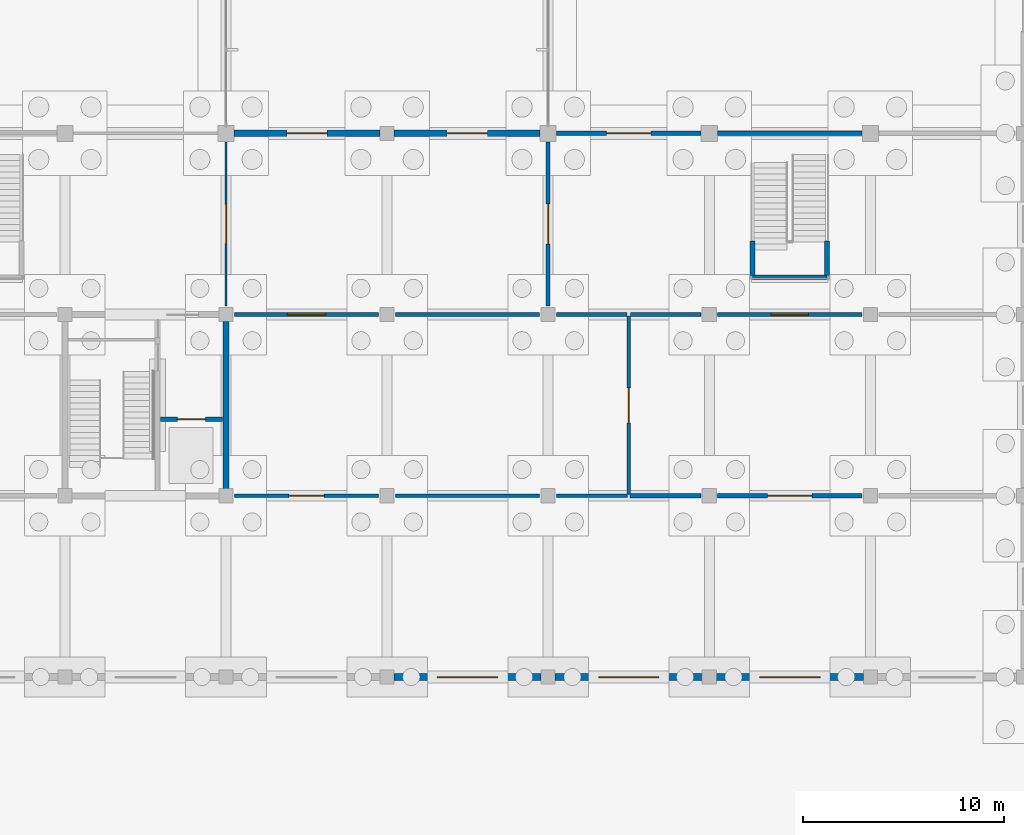
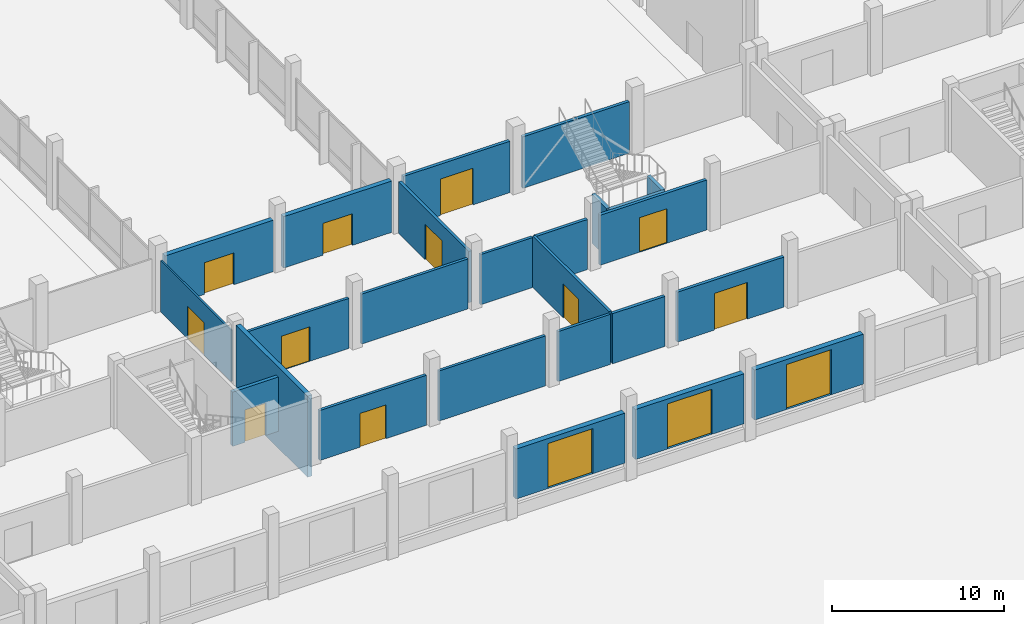
# One storey, part 45 of 72: 25 walls, 14 doors, 14 openings.
"""IFC4 building model written with IfcOpenShell, lengths in metres."""

from ifc_helpers import new_model, si_unit, direction, frame, frame_2d, origin, place, context, subcontext, project, spatial, rectangle, extrude, material, layer, layer_set, type_object, element, fill, save


model = new_model("IFC4")

# Units and contexts
model_context = context("Model", 3, precision=1e-05, world=origin(), true_north=direction((0.0, 1.0)))
body_context = subcontext(model_context, "Body", "Model", "MODEL_VIEW")
ifc_project = project(units=[si_unit("LENGTHUNIT", "METRE"), si_unit("AREAUNIT", "SQUARE_METRE"), si_unit("VOLUMEUNIT", "CUBIC_METRE"), si_unit("PLANEANGLEUNIT", "RADIAN"), si_unit("MASSUNIT", "GRAM", prefix="KILO"), si_unit("THERMODYNAMICTEMPERATUREUNIT", "KELVIN"), si_unit("POWERUNIT", "WATT")], contexts=[model_context])

# Site, building, storey
site_placement = place(None, origin())
site = spatial("IfcSite", under=ifc_project, at=site_placement, CompositionType="ELEMENT")
building_placement = place(site_placement, origin())
building = spatial("IfcBuilding", under=site, at=building_placement, Name="Kronsvod Quay Wholesale Market", CompositionType="ELEMENT")
storey_placement = place(building_placement, origin())
storey = spatial("IfcBuildingStorey", under=building, at=storey_placement, Name="L00", CompositionType="ELEMENT", Elevation=0.0)

# Wall, opening, door
ifc_material_1 = material(Name="Polyisocyanurate insulated cold-room panel")
ifc_layer_1 = layer(ifc_material_1, 0.195068359375)
ifc_layer_set_1 = layer_set([ifc_layer_1], Name="Polyisocyanurate insulated cold-room panel")
wall_type_1 = type_object("IfcWallType", Name="Wall_ColdInsul195", PredefinedType="PARTITIONING", material=ifc_layer_set_1)
wall_1_placement = place(storey_placement, frame((104.0, 45.419921875, 0.0), z_axis=(0.0, 0.0, 1.0), x_axis=(0.0, 1.0, 0.0)))
wall_1 = element("IfcWall", 1, at=wall_1_placement, inside=storey, type_object=wall_type_1, Name="PW-L00-0095", PredefinedType="PARTITIONING", context=body_context, shape_type="SweptSolid", body=[
    extrude(rectangle(XDim=8.16015625, YDim=0.195068359375, at=frame_2d((4.080078125, 0.0))), origin(), (0.0, 0.0, 1.0), 3.64990234375),
])
opening_1_placement = place(wall_1_placement, frame((3.080078125, 0.0, 0.0)))
opening_1 = element("IfcOpeningElement", 2, at=opening_1_placement, cuts=wall_1, Name="Opening D-0178", PredefinedType="OPENING", context=body_context, shape_type="SweptSolid", body=[
    extrude(rectangle(XDim=2.0, YDim=2.52001953125, at=frame_2d((1.0, 1.260009765625))), frame((0.0, 0.107421875, 0.0), z_axis=(0.0, -1.0, 0.0), x_axis=(1.0, 0.0, 0.0)), (0.0, 0.0, 1.0), 0.215087890625),
])
ifc_material_2 = material(Name="Insulated stainless cold-store door", Category="steel")
door_type_1 = type_object("IfcDoorType", Name="Door_ColdSlide200x252", OperationType="SLIDING_TO_RIGHT", PredefinedType="DOOR", material=ifc_material_2)
door_1_placement = place(opening_1_placement, origin())
door_1 = element("IfcDoor", 3, at=door_1_placement, inside=storey, type_object=door_type_1, Name="Interior Door D-0178", OperationType="SLIDING_TO_LEFT", OverallHeight=2.52001953125, OverallWidth=2.0, PredefinedType="DOOR", context=body_context, shape_type="SweptSolid", body=[
    extrude(rectangle(XDim=2.0, YDim=2.52001953125, at=frame_2d((1.0, 1.260009765625))), frame((0.0, 0.02490234375, 0.0), z_axis=(0.0, -1.0, 0.0), x_axis=(1.0, 0.0, 0.0)), (0.0, 0.0, 1.0), 0.050048828125),
])
fill(opening_1, door_1)

# Wall
ifc_material_3 = material(Name="Polyisocyanurate insulated cold-room panel")
ifc_layer_2 = layer(ifc_material_3, 0.2099609375)
ifc_layer_set_2 = layer_set([ifc_layer_2], Name="Polyisocyanurate insulated cold-room panel")
wall_type_2 = type_object("IfcWallType", Name="Wall_ColdInsul210", PredefinedType="PARTITIONING", material=ifc_layer_set_2)
wall_2_placement = place(storey_placement, frame((108.06005859375, 36.0, 0.0), z_axis=(0.0, 0.0, 1.0), x_axis=(1.0, 0.0, 0.0)))
element("IfcWall", 4, at=wall_2_placement, inside=storey, type_object=wall_type_2, Name="PW-L00-0043", PredefinedType="PARTITIONING", context=body_context, shape_type="SweptSolid", body=[
    extrude(rectangle(XDim=3.52001953125, YDim=0.2099609375, at=frame_2d((1.760009765625, 0.0))), origin(), (0.0, 0.0, 1.0), 3.550048828125),
])

# Wall, opening, door
wall_3_placement = place(storey_placement, frame((112.419921875, 36.0, 0.0), z_axis=(0.0, 0.0, 1.0), x_axis=(1.0, 0.0, 0.0)))
wall_3 = element("IfcWall", 5, at=wall_3_placement, inside=storey, type_object=wall_type_2, Name="PW-L00-0044", PredefinedType="PARTITIONING", context=body_context, shape_type="SweptSolid", body=[
    extrude(rectangle(XDim=7.16015625, YDim=0.2099609375, at=frame_2d((3.580078125, 0.0))), origin(), (0.0, 0.0, 1.0), 3.550048828125),
])
opening_2_placement = place(wall_3_placement, frame((2.47998046875, 0.0, 0.0)))
opening_2 = element("IfcOpeningElement", 6, at=opening_2_placement, cuts=wall_3, Name="Opening D-0152", PredefinedType="OPENING", context=body_context, shape_type="SweptSolid", body=[
    extrude(rectangle(XDim=2.199951171875, YDim=2.60009765625, at=frame_2d((1.10009765625, 1.300048828125))), frame((0.0, 0.114990234375, 0.0), z_axis=(0.0, -1.0, 0.0), x_axis=(1.0, 0.0, 0.0)), (0.0, 0.0, 1.0), 0.22998046875),
])
ifc_material_4 = material(Name="Insulated stainless cold-store door", Category="steel")
door_type_2 = type_object("IfcDoorType", Name="Door_ColdSlide220x260", OperationType="SLIDING_TO_LEFT", PredefinedType="DOOR", material=ifc_material_4)
door_2_placement = place(opening_2_placement, origin())
door_2 = element("IfcDoor", 7, at=door_2_placement, inside=storey, type_object=door_type_2, Name="Interior Door D-0152", OperationType="SLIDING_TO_LEFT", OverallHeight=2.60009765625, OverallWidth=2.199951171875, PredefinedType="DOOR", context=body_context, shape_type="SweptSolid", body=[
    extrude(rectangle(XDim=2.199951171875, YDim=2.60009765625, at=frame_2d((1.10009765625, 1.300048828125))), frame((0.0, 0.02490234375, 0.0), z_axis=(0.0, -1.0, 0.0), x_axis=(1.0, 0.0, 0.0)), (0.0, 0.0, 1.0), 0.050048828125),
])
fill(opening_2, door_2)

# Wall
wall_4_placement = place(storey_placement, frame((108.080078125, 45.0, 0.0), z_axis=(0.0, 0.0, 1.0), x_axis=(1.0, 0.0, 0.0)))
element("IfcWall", 8, at=wall_4_placement, inside=storey, type_object=wall_type_2, Name="PW-L00-0066", PredefinedType="PARTITIONING", context=body_context, shape_type="SweptSolid", body=[
    extrude(rectangle(XDim=3.5, YDim=0.2099609375, at=frame_2d((1.75, 0.0))), origin(), (0.0, 0.0, 1.0), 3.550048828125),
])

# Wall, opening, door
wall_5_placement = place(storey_placement, frame((112.419921875, 45.0, 0.0), z_axis=(0.0, 0.0, 1.0), x_axis=(1.0, 0.0, 0.0)))
wall_5 = element("IfcWall", 9, at=wall_5_placement, inside=storey, type_object=wall_type_2, Name="PW-L00-0067", PredefinedType="PARTITIONING", context=body_context, shape_type="SweptSolid", body=[
    extrude(rectangle(XDim=7.16015625, YDim=0.2099609375, at=frame_2d((3.580078125, 0.0))), origin(), (0.0, 0.0, 1.0), 3.550048828125),
])
opening_3_placement = place(wall_5_placement, frame((2.655029296875, 0.0, 0.0)))
opening_3 = element("IfcOpeningElement", 10, at=opening_3_placement, cuts=wall_5, Name="Opening D-0165", PredefinedType="OPENING", context=body_context, shape_type="SweptSolid", body=[
    extrude(rectangle(XDim=1.85009765625, YDim=2.449951171875, at=frame_2d((0.925048828125, 1.22509765625))), frame((0.0, 0.114990234375, 0.0), z_axis=(0.0, -1.0, 0.0), x_axis=(1.0, 0.0, 0.0)), (0.0, 0.0, 1.0), 0.22998046875),
])
ifc_material_5 = material(Name="Insulated stainless cold-store door", Category="steel")
door_type_3 = type_object("IfcDoorType", Name="Door_ColdSlide185x245", OperationType="SLIDING_TO_LEFT", PredefinedType="DOOR", material=ifc_material_5)
door_3_placement = place(opening_3_placement, origin())
door_3 = element("IfcDoor", 11, at=door_3_placement, inside=storey, type_object=door_type_3, Name="Interior Door D-0165", OperationType="SLIDING_TO_LEFT", OverallHeight=2.449951171875, OverallWidth=1.85009765625, PredefinedType="DOOR", context=body_context, shape_type="SweptSolid", body=[
    extrude(rectangle(XDim=1.85009765625, YDim=2.449951171875, at=frame_2d((0.925048828125, 1.22509765625))), frame((0.0, 0.02490234375, 0.0), z_axis=(0.0, -1.0, 0.0), x_axis=(1.0, 0.0, 0.0)), (0.0, 0.0, 1.0), 0.050048828125),
])
fill(opening_3, door_3)

wall_6_placement = place(storey_placement, frame((104.419921875, 54.0, 0.0), z_axis=(0.0, 0.0, 1.0), x_axis=(1.0, 0.0, 0.0)))
wall_6 = element("IfcWall", 12, at=wall_6_placement, inside=storey, type_object=wall_type_2, Name="PW-L00-0096", PredefinedType="PARTITIONING", context=body_context, shape_type="SweptSolid", body=[
    extrude(rectangle(XDim=7.16015625, YDim=0.2099609375, at=frame_2d((3.580078125, 0.0))), origin(), (0.0, 0.0, 1.0), 3.64990234375),
])
opening_4_placement = place(wall_6_placement, frame((2.47998046875, 0.0, 0.0)))
opening_4 = element("IfcOpeningElement", 13, at=opening_4_placement, cuts=wall_6, Name="Opening D-0179", PredefinedType="OPENING", context=body_context, shape_type="SweptSolid", body=[
    extrude(rectangle(XDim=2.199951171875, YDim=2.60009765625, at=frame_2d((1.10009765625, 1.300048828125))), frame((0.0, 0.114990234375, 0.0), z_axis=(0.0, -1.0, 0.0), x_axis=(1.0, 0.0, 0.0)), (0.0, 0.0, 1.0), 0.22998046875),
])
door_4_placement = place(opening_4_placement, origin())
door_4 = element("IfcDoor", 14, at=door_4_placement, inside=storey, type_object=door_type_2, Name="Interior Door D-0179", OperationType="SLIDING_TO_LEFT", OverallHeight=2.60009765625, OverallWidth=2.199951171875, PredefinedType="DOOR", context=body_context, shape_type="SweptSolid", body=[
    extrude(rectangle(XDim=2.199951171875, YDim=2.60009765625, at=frame_2d((1.10009765625, 1.300048828125))), frame((0.0, 0.02490234375, 0.0), z_axis=(0.0, -1.0, 0.0), x_axis=(1.0, 0.0, 0.0)), (0.0, 0.0, 1.0), 0.050048828125),
])
fill(opening_4, door_4)

# Walls
wall_7_placement = place(storey_placement, frame((112.419921875, 54.0, 0.0), z_axis=(0.0, 0.0, 1.0), x_axis=(1.0, 0.0, 0.0)))
element("IfcWall", 15, at=wall_7_placement, inside=storey, type_object=wall_type_2, Name="PW-L00-0097", PredefinedType="PARTITIONING", context=body_context, shape_type="SweptSolid", body=[
    extrude(rectangle(XDim=7.16015625, YDim=0.2099609375, at=frame_2d((3.580078125, 0.0))), origin(), (0.0, 0.0, 1.0), 3.64990234375),
])
ifc_material_6 = material(Name="Concrete C35/45", Category="concrete")
ifc_layer_3 = layer(ifc_material_6, 0.300048828125)
ifc_layer_set_3 = layer_set([ifc_layer_3], Name="Concrete C35/45")
wall_type_3 = type_object("IfcWallType", Name="Wall_CoreShear300", PredefinedType="SHEAR", material=ifc_layer_set_3)
wall_8_placement = place(storey_placement, frame((88.0, 36.344970703125, -1.25), z_axis=(0.0, 0.0, 1.0), x_axis=(0.0, 1.0, 0.0)))
element("IfcWall", 16, at=wall_8_placement, inside=storey, type_object=wall_type_3, Name="CW-C04-L00-E", PredefinedType="SHEAR", context=body_context, shape_type="SweptSolid", body=[
    extrude(rectangle(XDim=8.31005859375, YDim=0.300048828125, at=frame_2d((4.155029296875, 0.0))), origin(), (0.0, 0.0, 1.0), 5.7548828125),
])

# Wall, opening, door
ifc_material_7 = material(Name="Precast concrete C40/50", Category="concrete")
ifc_layer_4 = layer(ifc_material_7, 0.360107421875)
ifc_layer_set_4 = layer_set([ifc_layer_4], Name="Precast concrete C40/50")
wall_type_4 = type_object("IfcWallType", Name="Wall_ExtColdSandwich360", PredefinedType="SOLIDWALL", material=ifc_layer_set_4)
wall_9_placement = place(storey_placement, frame((96.344970703125, 27.0, 0.0), z_axis=(0.0, 0.0, 1.0), x_axis=(1.0, 0.0, 0.0)))
wall_9 = element("IfcWall", 17, at=wall_9_placement, inside=storey, type_object=wall_type_4, Name="EW-X-L00-0037", PredefinedType="SOLIDWALL", context=body_context, shape_type="SweptSolid", body=[
    extrude(rectangle(XDim=7.31005859375, YDim=0.360107421875, at=frame_2d((3.655029296875, 0.0))), origin(), (0.0, 0.0, 1.0), 3.550048828125),
])
opening_5_placement = place(wall_9_placement, frame((2.155029296875, 0.0, 0.0)))
opening_5 = element("IfcOpeningElement", 18, at=opening_5_placement, cuts=wall_9, Name="Opening ED-022", PredefinedType="OPENING", context=body_context, shape_type="SweptSolid", body=[
    extrude(rectangle(XDim=3.0, YDim=3.199951171875, at=frame_2d((1.5, 1.60009765625))), frame((0.0, 0.18994140625, 0.0), z_axis=(0.0, -1.0, 0.0), x_axis=(1.0, 0.0, 0.0)), (0.0, 0.0, 1.0), 0.380126953125),
])
ifc_material_8 = material(Name="Insulated galvanized steel sectional shutter", Category="steel")
door_type_4 = type_object("IfcDoorType", Name="Door_DockShutter300x320", OperationType="ROLLINGUP", PredefinedType="GATE", material=ifc_material_8)
door_5_placement = place(opening_5_placement, origin())
door_5 = element("IfcDoor", 19, at=door_5_placement, inside=storey, type_object=door_type_4, Name="Loading Dock Door ED-022", OperationType="ROLLINGUP", OverallHeight=3.199951171875, OverallWidth=3.0, PredefinedType="GATE", context=body_context, shape_type="SweptSolid", body=[
    extrude(rectangle(XDim=3.0, YDim=3.199951171875, at=frame_2d((1.5, 1.60009765625))), frame((0.0, 0.02490234375, 0.0), z_axis=(0.0, -1.0, 0.0), x_axis=(1.0, 0.0, 0.0)), (0.0, 0.0, 1.0), 0.050048828125),
])
fill(opening_5, door_5)

wall_10_placement = place(storey_placement, frame((104.344970703125, 27.0, 0.0), z_axis=(0.0, 0.0, 1.0), x_axis=(1.0, 0.0, 0.0)))
wall_10 = element("IfcWall", 20, at=wall_10_placement, inside=storey, type_object=wall_type_4, Name="EW-X-L00-0038", PredefinedType="SOLIDWALL", context=body_context, shape_type="SweptSolid", body=[
    extrude(rectangle(XDim=7.31005859375, YDim=0.360107421875, at=frame_2d((3.655029296875, 0.0))), origin(), (0.0, 0.0, 1.0), 3.550048828125),
])
opening_6_placement = place(wall_10_placement, frame((2.155029296875, 0.0, 0.0)))
opening_6 = element("IfcOpeningElement", 21, at=opening_6_placement, cuts=wall_10, Name="Opening ED-023", PredefinedType="OPENING", context=body_context, shape_type="SweptSolid", body=[
    extrude(rectangle(XDim=3.0, YDim=3.199951171875, at=frame_2d((1.5, 1.60009765625))), frame((0.0, 0.18994140625, 0.0), z_axis=(0.0, -1.0, 0.0), x_axis=(1.0, 0.0, 0.0)), (0.0, 0.0, 1.0), 0.380126953125),
])
door_6_placement = place(opening_6_placement, origin())
door_6 = element("IfcDoor", 22, at=door_6_placement, inside=storey, type_object=door_type_4, Name="Loading Dock Door ED-023", OperationType="ROLLINGUP", OverallHeight=3.199951171875, OverallWidth=3.0, PredefinedType="GATE", context=body_context, shape_type="SweptSolid", body=[
    extrude(rectangle(XDim=3.0, YDim=3.199951171875, at=frame_2d((1.5, 1.60009765625))), frame((0.0, 0.02490234375, 0.0), z_axis=(0.0, -1.0, 0.0), x_axis=(1.0, 0.0, 0.0)), (0.0, 0.0, 1.0), 0.050048828125),
])
fill(opening_6, door_6)

wall_11_placement = place(storey_placement, frame((112.344970703125, 27.0, 0.0), z_axis=(0.0, 0.0, 1.0), x_axis=(1.0, 0.0, 0.0)))
wall_11 = element("IfcWall", 23, at=wall_11_placement, inside=storey, type_object=wall_type_4, Name="EW-X-L00-0039", PredefinedType="SOLIDWALL", context=body_context, shape_type="SweptSolid", body=[
    extrude(rectangle(XDim=7.31005859375, YDim=0.360107421875, at=frame_2d((3.655029296875, 0.0))), origin(), (0.0, 0.0, 1.0), 3.550048828125),
])
opening_7_placement = place(wall_11_placement, frame((2.155029296875, 0.0, 0.0)))
opening_7 = element("IfcOpeningElement", 24, at=opening_7_placement, cuts=wall_11, Name="Opening ED-024", PredefinedType="OPENING", context=body_context, shape_type="SweptSolid", body=[
    extrude(rectangle(XDim=3.0, YDim=3.199951171875, at=frame_2d((1.5, 1.60009765625))), frame((0.0, 0.18994140625, 0.0), z_axis=(0.0, -1.0, 0.0), x_axis=(1.0, 0.0, 0.0)), (0.0, 0.0, 1.0), 0.380126953125),
])
door_7_placement = place(opening_7_placement, origin())
door_7 = element("IfcDoor", 25, at=door_7_placement, inside=storey, type_object=door_type_4, Name="Loading Dock Door ED-024", OperationType="ROLLINGUP", OverallHeight=3.199951171875, OverallWidth=3.0, PredefinedType="GATE", context=body_context, shape_type="SweptSolid", body=[
    extrude(rectangle(XDim=3.0, YDim=3.199951171875, at=frame_2d((1.5, 1.60009765625))), frame((0.0, 0.02490234375, 0.0), z_axis=(0.0, -1.0, 0.0), x_axis=(1.0, 0.0, 0.0)), (0.0, 0.0, 1.0), 0.050048828125),
])
fill(opening_7, door_7)

ifc_material_9 = material(Name="Precast concrete C40/50", Category="concrete")
ifc_layer_5 = layer(ifc_material_9, 0.320068359375)
ifc_layer_set_5 = layer_set([ifc_layer_5], Name="Precast concrete C40/50")
wall_type_5 = type_object("IfcWallType", Name="Wall_ExtPrecast320", PredefinedType="SOLIDWALL", material=ifc_layer_set_5)
wall_12_placement = place(storey_placement, frame((95.655029296875, 54.0, 0.0), z_axis=(0.0, 0.0, 1.0), x_axis=(-1.0, 0.0, 0.0)))
wall_12 = element("IfcWall", 26, at=wall_12_placement, inside=storey, type_object=wall_type_5, Name="EW-X-L00-0041", PredefinedType="SOLIDWALL", context=body_context, shape_type="SweptSolid", body=[
    extrude(rectangle(XDim=7.260009765625, YDim=0.320068359375, at=frame_2d((3.6298828125, 0.0))), origin(), (0.0, 0.0, 1.0), 3.64990234375),
])
opening_8_placement = place(wall_12_placement, frame((2.6298828125, 0.0, 0.0)))
opening_8 = element("IfcOpeningElement", 27, at=opening_8_placement, cuts=wall_12, Name="Opening ED-026", PredefinedType="OPENING", context=body_context, shape_type="SweptSolid", body=[
    extrude(rectangle(XDim=2.0, YDim=2.25, at=frame_2d((1.0, 1.125))), frame((0.0, 0.169921875, 0.0), z_axis=(0.0, -1.0, 0.0), x_axis=(1.0, 0.0, 0.0)), (0.0, 0.0, 1.0), 0.340087890625),
])
ifc_material_10 = material(Name="Aluminium and safety glass", Category="aluminium")
door_type_5 = type_object("IfcDoorType", Name="Door_ExitDouble200x225", OperationType="DOUBLE_DOOR_SINGLE_SWING", PredefinedType="DOOR", material=ifc_material_10)
door_8_placement = place(opening_8_placement, frame((2.0, 0.0, 0.0), z_axis=(0.0, 0.0, 1.0), x_axis=(-1.0, 0.0, 0.0)))
door_8 = element("IfcDoor", 28, at=door_8_placement, inside=storey, type_object=door_type_5, Name="Court Exit Door ED-026", OperationType="DOUBLE_DOOR_SINGLE_SWING", OverallHeight=2.25, OverallWidth=2.0, PredefinedType="DOOR", context=body_context, shape_type="SweptSolid", body=[
    extrude(rectangle(XDim=2.0, YDim=2.25, at=frame_2d((1.0, 1.125))), frame((0.0, 0.02490234375, 0.0), z_axis=(0.0, -1.0, 0.0), x_axis=(1.0, 0.0, 0.0)), (0.0, 0.0, 1.0), 0.050048828125),
])
fill(opening_8, door_8)

wall_13_placement = place(storey_placement, frame((103.60498046875, 54.0, 0.0), z_axis=(0.0, 0.0, 1.0), x_axis=(-1.0, 0.0, 0.0)))
wall_13 = element("IfcWall", 29, at=wall_13_placement, inside=storey, type_object=wall_type_5, Name="EW-X-L00-0042", PredefinedType="SOLIDWALL", context=body_context, shape_type="SweptSolid", body=[
    extrude(rectangle(XDim=7.260009765625, YDim=0.320068359375, at=frame_2d((3.6298828125, 0.0))), origin(), (0.0, 0.0, 1.0), 3.64990234375),
])
opening_9_placement = place(wall_13_placement, frame((2.6298828125, 0.0, 0.0)))
opening_9 = element("IfcOpeningElement", 30, at=opening_9_placement, cuts=wall_13, Name="Opening ED-027", PredefinedType="OPENING", context=body_context, shape_type="SweptSolid", body=[
    extrude(rectangle(XDim=2.0, YDim=2.25, at=frame_2d((1.0, 1.125))), frame((0.0, 0.169921875, 0.0), z_axis=(0.0, -1.0, 0.0), x_axis=(1.0, 0.0, 0.0)), (0.0, 0.0, 1.0), 0.340087890625),
])
door_9_placement = place(opening_9_placement, frame((2.0, 0.0, 0.0), z_axis=(0.0, 0.0, 1.0), x_axis=(-1.0, 0.0, 0.0)))
door_9 = element("IfcDoor", 31, at=door_9_placement, inside=storey, type_object=door_type_5, Name="Court Exit Door ED-027", OperationType="DOUBLE_DOOR_SINGLE_SWING", OverallHeight=2.25, OverallWidth=2.0, PredefinedType="DOOR", context=body_context, shape_type="SweptSolid", body=[
    extrude(rectangle(XDim=2.0, YDim=2.25, at=frame_2d((1.0, 1.125))), frame((0.0, 0.02490234375, 0.0), z_axis=(0.0, -1.0, 0.0), x_axis=(1.0, 0.0, 0.0)), (0.0, 0.0, 1.0), 0.050048828125),
])
fill(opening_9, door_9)

ifc_material_11 = material(Name="Framed acoustic glass hall partition", Category="glass")
ifc_layer_6 = layer(ifc_material_11, 0.114990234375)
ifc_layer_set_6 = layer_set([ifc_layer_6], Name="Framed acoustic glass hall partition")
wall_type_6 = type_object("IfcWallType", Name="Wall_PartGlazed115", PredefinedType="PARTITIONING", material=ifc_layer_set_6)
wall_14_placement = place(storey_placement, frame((88.0, 45.419921875, 0.0), z_axis=(0.0, 0.0, 1.0), x_axis=(0.0, 1.0, 0.0)))
wall_14 = element("IfcWall", 32, at=wall_14_placement, inside=storey, type_object=wall_type_6, Name="PW-L00-0084", PredefinedType="PARTITIONING", context=body_context, shape_type="SweptSolid", body=[
    extrude(rectangle(XDim=8.16015625, YDim=0.114990234375, at=frame_2d((4.080078125, 0.0))), origin(), (0.0, 0.0, 1.0), 3.64990234375),
])
opening_10_placement = place(wall_14_placement, frame((3.10498046875, 0.0, 0.0)))
opening_10 = element("IfcOpeningElement", 33, at=opening_10_placement, cuts=wall_14, Name="Opening D-0173", PredefinedType="OPENING", context=body_context, shape_type="SweptSolid", body=[
    extrude(rectangle(XDim=1.949951171875, YDim=2.300048828125, at=frame_2d((0.97509765625, 1.14990234375))), frame((0.0, 0.0673828125, 0.0), z_axis=(0.0, -1.0, 0.0), x_axis=(1.0, 0.0, 0.0)), (0.0, 0.0, 1.0), 0.135009765625),
])
ifc_material_12 = material(Name="Glazed aluminium hall portal", Category="aluminium")
door_type_6 = type_object("IfcDoorType", Name="Door_HallPortal195x230", OperationType="DOUBLE_DOOR_SINGLE_SWING", PredefinedType="DOOR", material=ifc_material_12)
door_10_placement = place(opening_10_placement, origin())
door_10 = element("IfcDoor", 34, at=door_10_placement, inside=storey, type_object=door_type_6, Name="Interior Door D-0173", OperationType="DOUBLE_DOOR_SINGLE_SWING", OverallHeight=2.300048828125, OverallWidth=1.949951171875, PredefinedType="DOOR", context=body_context, shape_type="SweptSolid", body=[
    extrude(rectangle(XDim=1.949951171875, YDim=2.300048828125, at=frame_2d((0.97509765625, 1.14990234375))), frame((0.0, 0.02490234375, 0.0), z_axis=(0.0, -1.0, 0.0), x_axis=(1.0, 0.0, 0.0)), (0.0, 0.0, 1.0), 0.050048828125),
])
fill(opening_10, door_10)

# Walls
ifc_material_13 = material(Name="Fire-rated shaft riser block wall", Category="masonry")
ifc_layer_7 = layer(ifc_material_13, 0.1298828125)
ifc_layer_set_7 = layer_set([ifc_layer_7], Name="Fire-rated shaft riser block wall")
wall_type_7 = type_object("IfcWallType", Name="Wall_PartRiser130", PredefinedType="PARTITIONING", material=ifc_layer_set_7)
wall_15_placement = place(storey_placement, frame((114.14990234375, 46.85009765625, -1.25), z_axis=(0.0, 0.0, 1.0), x_axis=(1.0, 0.0, 0.0)))
element("IfcWall", 35, at=wall_15_placement, inside=storey, type_object=wall_type_7, Name="ST-GAL-E1-SWS", PredefinedType="PARTITIONING", context=body_context, shape_type="SweptSolid", body=[
    extrude(rectangle(XDim=3.7001953125, YDim=0.239990234375, at=frame_2d((1.85009765625, 0.0))), origin(), (0.0, 0.0, 1.0), 3.469970703125),
])
for number, where, z_axis, x_axis, name in (
    (36, (114.14990234375, 46.949951171875, -1.25), (0.0, 0.0, 1.0), (0.0, 1.0, 0.0), "ST-GAL-E1-SWW"),
    (37, (117.85009765625, 46.949951171875, -1.25), (0.0, 0.0, 1.0), (0.0, 1.0, 0.0), "ST-GAL-E1-SWE"),
):
    element("IfcWall", number, at=place(storey_placement, frame(where, z_axis=z_axis, x_axis=x_axis)), inside=storey, type_object=wall_type_7, Name=name, PredefinedType="PARTITIONING", context=body_context, shape_type="SweptSolid", body=[
        extrude(rectangle(XDim=1.699951171875, YDim=0.239990234375, at=frame_2d((0.85009765625, 0.0))), origin(), (0.0, 0.0, 1.0), 3.469970703125),
    ])

# Wall, opening, door
ifc_material_14 = material(Name="Gas-tight ethylene ripening panel")
ifc_layer_8 = layer(ifc_material_14, 0.18505859375)
ifc_layer_set_8 = layer_set([ifc_layer_8], Name="Gas-tight ethylene ripening panel")
wall_type_8 = type_object("IfcWallType", Name="Wall_RipeningGas185", PredefinedType="PARTITIONING", material=ifc_layer_set_8)
wall_16_placement = place(storey_placement, frame((88.419921875, 36.0, 0.0), z_axis=(0.0, 0.0, 1.0), x_axis=(1.0, 0.0, 0.0)))
wall_16 = element("IfcWall", 38, at=wall_16_placement, inside=storey, type_object=wall_type_8, Name="PW-L00-0040", PredefinedType="PARTITIONING", context=body_context, shape_type="SweptSolid", body=[
    extrude(rectangle(XDim=7.16015625, YDim=0.18505859375, at=frame_2d((3.580078125, 0.0))), origin(), (0.0, 0.0, 1.0), 3.550048828125),
])
opening_11_placement = place(wall_16_placement, frame((2.705078125, 0.0, 0.0)))
opening_11 = element("IfcOpeningElement", 39, at=opening_11_placement, cuts=wall_16, Name="Opening D-0151", PredefinedType="OPENING", context=body_context, shape_type="SweptSolid", body=[
    extrude(rectangle(XDim=1.75, YDim=2.39990234375, at=frame_2d((0.875, 1.199951171875))), frame((0.0, 0.1025390625, 0.0), z_axis=(0.0, -1.0, 0.0), x_axis=(1.0, 0.0, 0.0)), (0.0, 0.0, 1.0), 0.205078125),
])
ifc_material_15 = material(Name="Gas-tight aluminium ripening door", Category="aluminium")
door_type_7 = type_object("IfcDoorType", Name="Door_Ripening175x240", OperationType="DOUBLE_DOOR_SINGLE_SWING", PredefinedType="DOOR", material=ifc_material_15)
door_11_placement = place(opening_11_placement, origin())
door_11 = element("IfcDoor", 40, at=door_11_placement, inside=storey, type_object=door_type_7, Name="Interior Door D-0151", OperationType="DOUBLE_DOOR_SINGLE_SWING", OverallHeight=2.39990234375, OverallWidth=1.75, PredefinedType="DOOR", context=body_context, shape_type="SweptSolid", body=[
    extrude(rectangle(XDim=1.75, YDim=2.39990234375, at=frame_2d((0.875, 1.199951171875))), frame((0.0, 0.02490234375, 0.0), z_axis=(0.0, -1.0, 0.0), x_axis=(1.0, 0.0, 0.0)), (0.0, 0.0, 1.0), 0.050048828125),
])
fill(opening_11, door_11)

# Walls
wall_17_placement = place(storey_placement, frame((96.419921875, 36.0, 0.0), z_axis=(0.0, 0.0, 1.0), x_axis=(1.0, 0.0, 0.0)))
element("IfcWall", 41, at=wall_17_placement, inside=storey, type_object=wall_type_8, Name="PW-L00-0041", PredefinedType="PARTITIONING", context=body_context, shape_type="SweptSolid", body=[
    extrude(rectangle(XDim=7.16015625, YDim=0.18505859375, at=frame_2d((3.580078125, 0.0))), origin(), (0.0, 0.0, 1.0), 3.550048828125),
])
wall_18_placement = place(storey_placement, frame((104.419921875, 36.0, 0.0), z_axis=(0.0, 0.0, 1.0), x_axis=(1.0, 0.0, 0.0)))
element("IfcWall", 42, at=wall_18_placement, inside=storey, type_object=wall_type_8, Name="PW-L00-0042", PredefinedType="PARTITIONING", context=body_context, shape_type="SweptSolid", body=[
    extrude(rectangle(XDim=3.52001953125, YDim=0.18505859375, at=frame_2d((1.760009765625, 0.0))), origin(), (0.0, 0.0, 1.0), 3.550048828125),
])

# Wall, opening, door
wall_19_placement = place(storey_placement, frame((108.0, 36.06005859375, 0.0), z_axis=(0.0, 0.0, 1.0), x_axis=(0.0, 1.0, 0.0)))
wall_19 = element("IfcWall", 43, at=wall_19_placement, inside=storey, type_object=wall_type_8, Name="PW-L00-0062", PredefinedType="PARTITIONING", context=body_context, shape_type="SweptSolid", body=[
    extrude(rectangle(XDim=8.85986328125, YDim=0.18505859375, at=frame_2d((4.429931640625, 0.0))), origin(), (0.0, 0.0, 1.0), 3.64990234375),
])
opening_12_placement = place(wall_19_placement, frame((3.554931640625, 0.0, 0.0)))
opening_12 = element("IfcOpeningElement", 44, at=opening_12_placement, cuts=wall_19, Name="Opening D-0163", PredefinedType="OPENING", context=body_context, shape_type="SweptSolid", body=[
    extrude(rectangle(XDim=1.75, YDim=2.39990234375, at=frame_2d((0.875, 1.199951171875))), frame((0.0, 0.1025390625, 0.0), z_axis=(0.0, -1.0, 0.0), x_axis=(1.0, 0.0, 0.0)), (0.0, 0.0, 1.0), 0.205078125),
])
door_12_placement = place(opening_12_placement, origin())
door_12 = element("IfcDoor", 45, at=door_12_placement, inside=storey, type_object=door_type_7, Name="Interior Door D-0163", OperationType="DOUBLE_DOOR_SINGLE_SWING", OverallHeight=2.39990234375, OverallWidth=1.75, PredefinedType="DOOR", context=body_context, shape_type="SweptSolid", body=[
    extrude(rectangle(XDim=1.75, YDim=2.39990234375, at=frame_2d((0.875, 1.199951171875))), frame((0.0, 0.02490234375, 0.0), z_axis=(0.0, -1.0, 0.0), x_axis=(1.0, 0.0, 0.0)), (0.0, 0.0, 1.0), 0.050048828125),
])
fill(opening_12, door_12)

wall_20_placement = place(storey_placement, frame((88.419921875, 45.0, 0.0), z_axis=(0.0, 0.0, 1.0), x_axis=(1.0, 0.0, 0.0)))
wall_20 = element("IfcWall", 46, at=wall_20_placement, inside=storey, type_object=wall_type_8, Name="PW-L00-0063", PredefinedType="PARTITIONING", context=body_context, shape_type="SweptSolid", body=[
    extrude(rectangle(XDim=7.16015625, YDim=0.18505859375, at=frame_2d((3.580078125, 0.0))), origin(), (0.0, 0.0, 1.0), 3.550048828125),
])
opening_13_placement = place(wall_20_placement, frame((2.6298828125, 0.0, 0.0)))
opening_13 = element("IfcOpeningElement", 47, at=opening_13_placement, cuts=wall_20, Name="Opening D-0164", PredefinedType="OPENING", context=body_context, shape_type="SweptSolid", body=[
    extrude(rectangle(XDim=1.89990234375, YDim=2.449951171875, at=frame_2d((0.949951171875, 1.22509765625))), frame((0.0, 0.1025390625, 0.0), z_axis=(0.0, -1.0, 0.0), x_axis=(1.0, 0.0, 0.0)), (0.0, 0.0, 1.0), 0.205078125),
])
ifc_material_16 = material(Name="Gas-tight aluminium ripening door", Category="aluminium")
door_type_8 = type_object("IfcDoorType", Name="Door_Ripening190x245", OperationType="DOUBLE_DOOR_SINGLE_SWING", PredefinedType="DOOR", material=ifc_material_16)
door_13_placement = place(opening_13_placement, origin())
door_13 = element("IfcDoor", 48, at=door_13_placement, inside=storey, type_object=door_type_8, Name="Interior Door D-0164", OperationType="DOUBLE_DOOR_SINGLE_SWING", OverallHeight=2.449951171875, OverallWidth=1.89990234375, PredefinedType="DOOR", context=body_context, shape_type="SweptSolid", body=[
    extrude(rectangle(XDim=1.89990234375, YDim=2.449951171875, at=frame_2d((0.949951171875, 1.22509765625))), frame((0.0, 0.02490234375, 0.0), z_axis=(0.0, -1.0, 0.0), x_axis=(1.0, 0.0, 0.0)), (0.0, 0.0, 1.0), 0.050048828125),
])
fill(opening_13, door_13)

# Walls
wall_21_placement = place(storey_placement, frame((96.419921875, 45.0, 0.0), z_axis=(0.0, 0.0, 1.0), x_axis=(1.0, 0.0, 0.0)))
element("IfcWall", 49, at=wall_21_placement, inside=storey, type_object=wall_type_8, Name="PW-L00-0064", PredefinedType="PARTITIONING", context=body_context, shape_type="SweptSolid", body=[
    extrude(rectangle(XDim=7.16015625, YDim=0.18505859375, at=frame_2d((3.580078125, 0.0))), origin(), (0.0, 0.0, 1.0), 3.550048828125),
])
wall_22_placement = place(storey_placement, frame((104.419921875, 45.0, 0.0), z_axis=(0.0, 0.0, 1.0), x_axis=(1.0, 0.0, 0.0)))
element("IfcWall", 50, at=wall_22_placement, inside=storey, type_object=wall_type_8, Name="PW-L00-0065", PredefinedType="PARTITIONING", context=body_context, shape_type="SweptSolid", body=[
    extrude(rectangle(XDim=3.5, YDim=0.18505859375, at=frame_2d((1.75, 0.0))), origin(), (0.0, 0.0, 1.0), 3.550048828125),
])

# Wall, opening, door
ifc_material_17 = material(Name="Concrete C35/45", Category="concrete")
ifc_layer_9 = layer(ifc_material_17, 0.239990234375)
ifc_layer_set_9 = layer_set([ifc_layer_9], Name="Concrete C35/45")
wall_type_9 = type_object("IfcWallType", Name="Wall_ShaftWall240", PredefinedType="SHEAR", material=ifc_layer_set_9)
wall_23_placement = place(storey_placement, frame((84.75, 39.800048828125, 0.0), z_axis=(0.0, 0.0, 1.0), x_axis=(1.0, 0.0, 0.0)))
wall_23 = element("IfcWall", 51, at=wall_23_placement, inside=storey, type_object=wall_type_9, Name="CW-C04-L00-LSH", PredefinedType="SHEAR", context=body_context, shape_type="SweptSolid", body=[
    extrude(rectangle(XDim=3.070068359375, YDim=0.239990234375, at=frame_2d((1.53515625, 0.0))), origin(), (0.0, 0.0, 1.0), 3.85498046875),
])
opening_14_placement = place(wall_23_placement, frame((0.8349609375, 0.0, 0.0)))
opening_14 = element("IfcOpeningElement", 52, at=opening_14_placement, cuts=wall_23, Name="Opening D-0036", PredefinedType="OPENING", context=body_context, shape_type="SweptSolid", body=[
    extrude(rectangle(XDim=1.39990234375, YDim=2.300048828125, at=frame_2d((0.699951171875, 1.14990234375))), frame((0.0, 0.1298828125, 0.0), z_axis=(0.0, -1.0, 0.0), x_axis=(1.0, 0.0, 0.0)), (0.0, 0.0, 1.0), 0.260009765625),
])
ifc_material_18 = material(Name="Brushed stainless steel", Category="steel")
door_type_9 = type_object("IfcDoorType", Name="Door_LiftLandingGoods", OperationType="SLIDING_TO_LEFT", PredefinedType="DOOR", material=ifc_material_18)
door_14_placement = place(opening_14_placement, origin())
door_14 = element("IfcDoor", 53, at=door_14_placement, inside=storey, type_object=door_type_9, Name="Lift Landing Door LFT-G03 L00", OperationType="SLIDING_TO_LEFT", OverallHeight=2.300048828125, OverallWidth=1.39990234375, PredefinedType="DOOR", context=body_context, shape_type="SweptSolid", body=[
    extrude(rectangle(XDim=1.39990234375, YDim=2.300048828125, at=frame_2d((0.699951171875, 1.14990234375))), frame((0.0, 0.02490234375, 0.0), z_axis=(0.0, -1.0, 0.0), x_axis=(1.0, 0.0, 0.0)), (0.0, 0.0, 1.0), 0.050048828125),
])
fill(opening_14, door_14)

save(model, "model.ifc")
